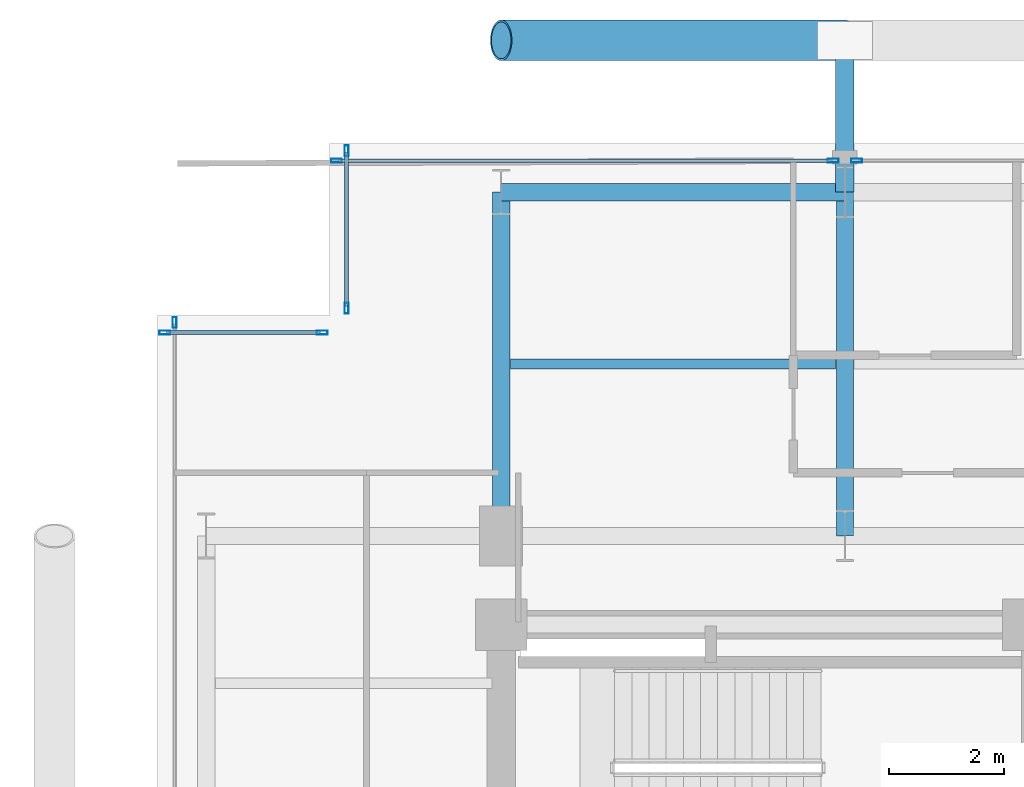
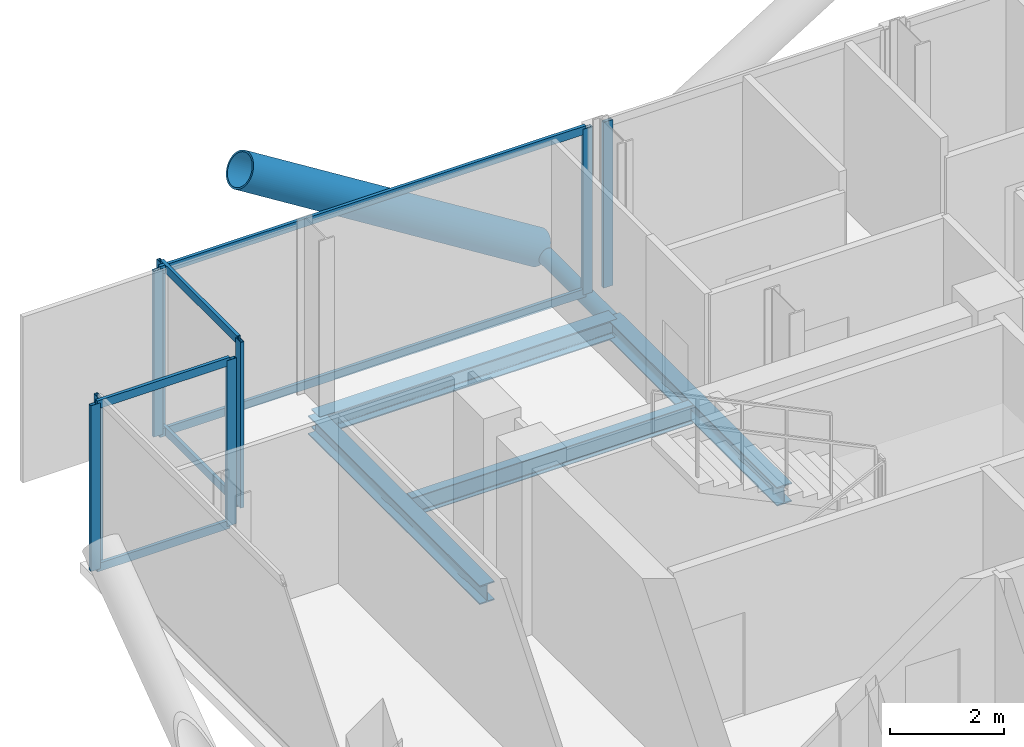
# One storey, part 13 of 22: 16 members, 4 beams, 5 elements without a shape of their own.
"""IFC4 building model written with IfcOpenShell, lengths in metres."""

import ifcopenshell
import ifcopenshell.guid

model = None  # the IFC model being written
_history = None  # IfcOwnerHistory: only IFC2X3 demands one
_inside = {}  # id of a spatial element -> (the spatial element, [elements in it])
_under = {}  # id of a project, library or spatial element -> (it, [spatial elements below it])
_declared = {}  # id of a project -> (the project, [libraries it declares])
_typed = {}  # id of a type object -> (the type object, [elements of that type])
_made_of = {}  # id of a material, layer set ... -> (it, [elements and type objects made of it])


def new_model(schema):
    """Start an empty IFC model of exactly this schema.

    Asked for "IFC4X3", IfcOpenShell would pick the latest addendum, in which some entities
    have other attributes; the version numbers below select the first issue.
    IFC2X3 requires an IfcOwnerHistory on every rooted entity: one is made here for all.
    """
    global model, _history
    if schema == "IFC4X3":
        model = ifcopenshell.file(schema_version=(4, 3, 0, 0))
    else:
        model = ifcopenshell.file(schema=schema)
    _inside.clear()
    _under.clear()
    _declared.clear()
    _typed.clear()
    _made_of.clear()
    _history = None
    if model.schema == "IFC2X3":
        org = make("IfcOrganization", Name="unknown")
        user = make(
            "IfcPersonAndOrganization",
            ThePerson=make("IfcPerson", FamilyName="unknown"),
            TheOrganization=org,
        )
        app = make(
            "IfcApplication",
            ApplicationDeveloper=org,
            Version="unknown",
            ApplicationFullName="unknown",
            ApplicationIdentifier="unknown",
        )
        _history = make(
            "IfcOwnerHistory",
            OwningUser=user,
            OwningApplication=app,
            ChangeAction="ADDED",
            CreationDate=0,
        )
    return model


def make(cls, **values):
    """One entity of the class cls with the attributes given. An attribute that is None is left unset."""
    return model.create_entity(
        cls, **{name: value for name, value in values.items() if value is not None}
    )


def rooted(cls, **values):
    """An entity with a GlobalId (a new one), such as an element, a storey or a relation."""
    return make(cls, GlobalId=ifcopenshell.guid.new(), OwnerHistory=_history, **values)


def si_unit(unit_type, name, prefix=None):
    """IfcSIUnit, for example si_unit("LENGTHUNIT", "METRE", prefix="MILLI")."""
    return make("IfcSIUnit", UnitType=unit_type, Prefix=prefix, Name=name)


def assignment(units):
    """IfcUnitAssignment: the units of a project."""
    return None if units is None else make("IfcUnitAssignment", Units=units)


def point(xyz):
    """IfcCartesianPoint."""
    return None if xyz is None else make("IfcCartesianPoint", Coordinates=xyz)


def direction(xyz):
    """IfcDirection."""
    return None if xyz is None else make("IfcDirection", DirectionRatios=xyz)


def frame(location, z_axis=None, x_axis=None):
    """IfcAxis2Placement3D, a coordinate frame: its origin and axes. An axis left out is left unset."""
    return make(
        "IfcAxis2Placement3D",
        Location=point(location),
        Axis=direction(z_axis),
        RefDirection=direction(x_axis),
    )


def frame_2d(location, x_axis=None):
    """IfcAxis2Placement2D, a coordinate frame in the plane: its origin and x axis."""
    return make(
        "IfcAxis2Placement2D", Location=point(location), RefDirection=direction(x_axis)
    )


def origin():
    """The frame at (0, 0, 0) with its axes left unset."""
    return frame((0.0, 0.0, 0.0))


def origin_2d():
    """The frame at (0, 0) in the plane with its x axis left unset."""
    return frame_2d((0.0, 0.0))


def place(relative_to, where):
    """IfcLocalPlacement: puts the frame where relative to a parent placement (None: the world)."""
    return make(
        "IfcLocalPlacement", PlacementRelTo=relative_to, RelativePlacement=where
    )


def context(
    kind, dimensions, precision=None, world=None, true_north=None, identifier=None
):
    """IfcGeometricRepresentationContext, for example the 3D "Model" context."""
    return make(
        "IfcGeometricRepresentationContext",
        ContextIdentifier=identifier,
        ContextType=kind,
        CoordinateSpaceDimension=dimensions,
        Precision=precision,
        WorldCoordinateSystem=world,
        TrueNorth=true_north,
    )


def subcontext(parent, identifier, kind, view, scale=None):
    """IfcGeometricRepresentationSubContext, for example "Body" below "Model"."""
    return make(
        "IfcGeometricRepresentationSubContext",
        ContextIdentifier=identifier,
        ContextType=kind,
        ParentContext=parent,
        TargetScale=scale,
        TargetView=view,
    )


def project(units=None, contexts=None):
    """IfcProject with its units and contexts."""
    return rooted(
        "IfcProject",
        Name="project",
        RepresentationContexts=contexts,
        UnitsInContext=assignment(units),
    )


def spatial(cls, under=None, at=None, **own):
    """A site, building, storey or space (cls), placed at a placement, below another one or the project."""
    s = rooted(cls, ObjectPlacement=at, **own)
    if under is not None:
        _under.setdefault(under.id(), (under, []))[1].append(s)
    return s


def profile(cls, at=None, kind="AREA", **sizes):
    """A parametric profile (cls). Its sizes go by their IFC names, for example OverallWidth=200.0."""
    return make(cls, ProfileType=kind, Position=at, **sizes)


def hollow_rectangle(**sizes):
    """IfcRectangleHollowProfileDef."""
    return profile("IfcRectangleHollowProfileDef", **sizes)


def hollow_circle(**sizes):
    """IfcCircleHollowProfileDef."""
    return profile("IfcCircleHollowProfileDef", **sizes)


def i_section(**sizes):
    """IfcIShapeProfileDef."""
    return profile("IfcIShapeProfileDef", **sizes)


def extrude(swept, where, along, depth):
    """IfcExtrudedAreaSolid: the profile swept, set in the frame where, extruded along a direction by depth."""
    return make(
        "IfcExtrudedAreaSolid",
        SweptArea=swept,
        Position=where,
        ExtrudedDirection=direction(along),
        Depth=depth,
    )


def shape(context_of_items, identifier, shape_type, items):
    """IfcShapeRepresentation: the items that make up one representation, for example the "Body"."""
    return make(
        "IfcShapeRepresentation",
        ContextOfItems=context_of_items,
        RepresentationIdentifier=identifier,
        RepresentationType=shape_type,
        Items=items,
    )


def material(Name=None, Category=None):
    """IfcMaterial."""
    return make("IfcMaterial", Name=Name, Category=Category)


def layer(
    of_material, thickness, ventilated=None, Name=None, Category=None, Priority=None
):
    """IfcMaterialLayer: one layer of a wall or slab, of a material (None: an air gap)."""
    return make(
        "IfcMaterialLayer",
        Material=of_material,
        LayerThickness=thickness,
        IsVentilated=ventilated,
        Name=Name,
        Category=Category,
        Priority=Priority,
    )


def layer_set(layers, Name=None):
    """IfcMaterialLayerSet."""
    return make("IfcMaterialLayerSet", MaterialLayers=layers, LayerSetName=Name)


def material_profile(
    of_material, cross_section, Name=None, Category=None, Priority=None
):
    """IfcMaterialProfile: a cross section and its material."""
    return make(
        "IfcMaterialProfile",
        Name=Name,
        Material=of_material,
        Profile=cross_section,
        Priority=Priority,
        Category=Category,
    )


def profile_set(profiles, Name=None, composite=None):
    """IfcMaterialProfileSet."""
    return make(
        "IfcMaterialProfileSet",
        Name=Name,
        MaterialProfiles=profiles,
        CompositeProfile=composite,
    )


def made_of(thing, what):
    """Note that an element or type object is made of a material, layer set ...; save() writes the relation."""
    if what is not None:
        _made_of.setdefault(what.id(), (what, []))[1].append(thing)
    return thing


def type_object(cls, material=None, **own):
    """A type object (cls), such as IfcWallType, which elements share."""
    return made_of(rooted(cls, **own), material)


def element(
    cls,
    number,
    at=None,
    inside=None,
    cuts=None,
    type_object=None,
    material=None,
    context=None,
    identifier="Body",
    shape_type=None,
    held_by="IfcProductDefinitionShape",
    body=None,
    shapes=None,
    **own,
):
    """One element of the class cls, such as IfcWall. Its Tag is "e" and its number.

    at: its placement. inside: the storey or other place that contains it. cuts: it is an
    opening in that element (IfcRelVoidsElement). A single representation is given by context,
    identifier, shape_type and body (its items); several are given by shapes. held_by: the class
    of the entity that holds the representations. save() writes the other relations.
    """
    e = rooted(cls, Tag="e%d" % number, ObjectPlacement=at, **own)
    if body is not None:
        shapes = [shape(context, identifier, shape_type, body)]
    if shapes is not None:
        e.Representation = make(held_by, Representations=shapes)
    if inside is not None:
        _inside.setdefault(inside.id(), (inside, []))[1].append(e)
    if cuts is not None:
        rooted(
            "IfcRelVoidsElement", RelatingBuildingElement=cuts, RelatedOpeningElement=e
        )
    if type_object is not None:
        _typed.setdefault(type_object.id(), (type_object, []))[1].append(e)
    return made_of(e, material)


def aggregate(whole, parts):
    """IfcRelAggregates: a whole, such as a stair, and the parts it consists of."""
    return rooted("IfcRelAggregates", RelatingObject=whole, RelatedObjects=parts)


def save(model, path):
    """Write the relations noted so far, then the file.

    IfcRelAggregates (storeys below a building ...), IfcRelContainedInSpatialStructure (elements
    in a storey), IfcRelDefinesByType, IfcRelAssociatesMaterial and IfcRelDeclares: one each for
    every whole, place, type object, material and project.
    """
    for whole, parts in _under.values():
        aggregate(whole, parts)
    for where, things in _inside.values():
        rooted(
            "IfcRelContainedInSpatialStructure",
            RelatedElements=things,
            RelatingStructure=where,
        )
    for kind, things in _typed.values():
        rooted("IfcRelDefinesByType", RelatedObjects=things, RelatingType=kind)
    for what, things in _made_of.values():
        rooted("IfcRelAssociatesMaterial", RelatedObjects=things, RelatingMaterial=what)
    for by, libraries in _declared.values():
        rooted("IfcRelDeclares", RelatingContext=by, RelatedDefinitions=libraries)
    model.write(path)


model = new_model("IFC4")

# Units and contexts
model_context = context("Model", 3, precision=1e-05, world=origin(), true_north=direction((0.0, 1.0)))
body_context = subcontext(model_context, "Body", "Model", "MODEL_VIEW")
ifc_project = project(units=[si_unit("LENGTHUNIT", "METRE"), si_unit("AREAUNIT", "SQUARE_METRE"), si_unit("VOLUMEUNIT", "CUBIC_METRE"), si_unit("PLANEANGLEUNIT", "RADIAN"), si_unit("MASSUNIT", "GRAM", prefix="KILO"), si_unit("THERMODYNAMICTEMPERATUREUNIT", "KELVIN"), si_unit("POWERUNIT", "WATT")], contexts=[model_context])

# Site, building, storey
site_placement = place(None, origin())
site = spatial("IfcSite", under=ifc_project, at=site_placement, CompositionType="ELEMENT")
building_placement = place(site_placement, origin())
building = spatial("IfcBuilding", under=site, at=building_placement, Name="Svarakhadi Broadcast Tower", CompositionType="ELEMENT")
storey_placement = place(building_placement, frame((0.0, 0.0, 191.699951171875)))
storey = spatial("IfcBuildingStorey", under=building, at=storey_placement, Name="L47", CompositionType="ELEMENT", Elevation=191.699951171875)

# Beam
ifc_material_1 = material(Name="Steel S355J2 (IS 2062 E350C)", Category="steel")
ifc_material_profile_1 = material_profile(ifc_material_1, i_section(OverallWidth=0.179931640625, OverallDepth=0.39990234375, WebThickness=0.008544921875, FlangeThickness=0.013427734375, FilletRadius=0.02099609375, at=origin_2d()), Name="NPB 400x180x66")
ifc_profile_set_1 = profile_set([ifc_material_profile_1], Name="Steel S355J2 (IS 2062 E350C)")
beam_type_1 = type_object("IfcBeamType", Name="Beam_NPB400", PredefinedType="BEAM", material=ifc_profile_set_1)
beam_placement = place(storey_placement, frame((6.159912109375, 32.14990234375, -0.409912109375), z_axis=(1.0, 0.0, 0.0), x_axis=(0.0, 1.0, 0.0)))
element("IfcBeam", 1, at=beam_placement, inside=storey, type_object=beam_type_1, Name="L47 Secondary Composite Beam SB008", PredefinedType="BEAM", context=body_context, shape_type="SweptSolid", body=[
    extrude(i_section(OverallWidth=0.179931640625, OverallDepth=0.39990234375, WebThickness=0.008544921875, FlangeThickness=0.013427734375, FilletRadius=0.02099609375, at=origin_2d()), origin(), (0.0, 0.0, 1.0), 5.68017578125),
])

# Curtain wall, member
ifc_material_2 = material(Name="Anodised Bronze Aluminium AA 6063-T6", Category="aluminium")
ifc_layer = layer(ifc_material_2, 0.18994140625)
ifc_layer_set = layer_set([ifc_layer], Name="Anodised Bronze Aluminium AA 6063-T6")
curtain_wall_type = type_object("IfcCurtainWallType", Name="CW_Sys_04", PredefinedType="NOTDEFINED", material=ifc_layer_set)
curtain_wall_1_placement = place(storey_placement, origin())
curtain_wall_1 = element("IfcCurtainWall", 2, at=curtain_wall_1_placement, inside=storey, type_object=curtain_wall_type, Name="L47 West Curtain Wall 03", PredefinedType="NOTDEFINED")
ifc_material_profile_2 = material_profile(ifc_material_2, hollow_rectangle(XDim=0.070068359375, YDim=0.18994140625, WallThickness=0.005615234375, at=origin_2d()), Name="ALU MULLION 190x70x6")
ifc_profile_set_2 = profile_set([ifc_material_profile_2], Name="Anodised Bronze Aluminium AA 6063-T6")
member_type_1 = type_object("IfcMemberType", Name="CW_Sys_04_Mul", PredefinedType="MULLION", material=ifc_profile_set_2)
member_1_placement = place(storey_placement, frame((0.300048828125, 32.875, 0.0), z_axis=(0.0, 0.0, 1.0), x_axis=(-1.0, 0.0, 0.0)))
member_1 = element("IfcMember", 3, at=member_1_placement, type_object=member_type_1, Name="CW-04 mullion 2", PredefinedType="MULLION", context=body_context, shape_type="SweptSolid", body=[
    extrude(hollow_rectangle(XDim=0.070068359375, YDim=0.18994140625, WallThickness=0.005615234375, at=origin_2d()), origin(), (0.0, 0.0, 1.0), 3.5400390625),
])
aggregate(curtain_wall_1, [member_1])

# Curtain wall, members
curtain_wall_2_placement = place(storey_placement, origin())
curtain_wall_2 = element("IfcCurtainWall", 4, at=curtain_wall_2_placement, inside=storey, type_object=curtain_wall_type, Name="L47 Unitised Facade Curtain Wall 04", PredefinedType="NOTDEFINED")
member_2_placement = place(storey_placement, frame((0.125, 32.699951171875, 0.0), z_axis=(0.0, 0.0, 1.0), x_axis=(0.0, 1.0, 0.0)))
member_2 = element("IfcMember", 5, at=member_2_placement, type_object=member_type_1, Name="CW-04 mullion 1", PredefinedType="MULLION", context=body_context, shape_type="SweptSolid", body=[
    extrude(hollow_rectangle(XDim=0.070068359375, YDim=0.18994140625, WallThickness=0.005615234375, at=origin_2d()), origin(), (0.0, 0.0, 1.0), 3.5400390625),
])
member_3_placement = place(storey_placement, frame((2.875, 32.699951171875, 0.0), z_axis=(0.0, 0.0, 1.0), x_axis=(0.0, 1.0, 0.0)))
member_3 = element("IfcMember", 6, at=member_3_placement, type_object=member_type_1, Name="CW-04 mullion 2", PredefinedType="MULLION", context=body_context, shape_type="SweptSolid", body=[
    extrude(hollow_rectangle(XDim=0.070068359375, YDim=0.18994140625, WallThickness=0.005615234375, at=origin_2d()), origin(), (0.0, 0.0, 1.0), 3.5400390625),
])

curtain_wall_3_placement = place(storey_placement, origin())
curtain_wall_3 = element("IfcCurtainWall", 7, at=curtain_wall_3_placement, inside=storey, type_object=curtain_wall_type, Name="L47 Unitised Facade Curtain Wall 05", PredefinedType="NOTDEFINED")
member_4_placement = place(storey_placement, frame((3.300048828125, 33.125, 0.0), z_axis=(0.0, 0.0, 1.0), x_axis=(-1.0, 0.0, 0.0)))
member_4 = element("IfcMember", 8, at=member_4_placement, type_object=member_type_1, Name="CW-04 mullion 1", PredefinedType="MULLION", context=body_context, shape_type="SweptSolid", body=[
    extrude(hollow_rectangle(XDim=0.070068359375, YDim=0.18994140625, WallThickness=0.005615234375, at=origin_2d()), origin(), (0.0, 0.0, 1.0), 3.5400390625),
])
member_5_placement = place(storey_placement, frame((3.300048828125, 35.875, 0.0), z_axis=(0.0, 0.0, 1.0), x_axis=(-1.0, 0.0, 0.0)))
member_5 = element("IfcMember", 9, at=member_5_placement, type_object=member_type_1, Name="CW-04 mullion 2", PredefinedType="MULLION", context=body_context, shape_type="SweptSolid", body=[
    extrude(hollow_rectangle(XDim=0.070068359375, YDim=0.18994140625, WallThickness=0.005615234375, at=origin_2d()), origin(), (0.0, 0.0, 1.0), 3.5400390625),
])

curtain_wall_4_placement = place(storey_placement, origin())
curtain_wall_4 = element("IfcCurtainWall", 10, at=curtain_wall_4_placement, inside=storey, type_object=curtain_wall_type, Name="L47 Unitised Facade Curtain Wall 06 Bay 1", PredefinedType="NOTDEFINED")
member_6_placement = place(storey_placement, frame((3.125, 35.699951171875, 0.0), z_axis=(0.0, 0.0, 1.0), x_axis=(0.0, 1.0, 0.0)))
member_6 = element("IfcMember", 11, at=member_6_placement, type_object=member_type_1, Name="CW-04 mullion 1", PredefinedType="MULLION", context=body_context, shape_type="SweptSolid", body=[
    extrude(hollow_rectangle(XDim=0.070068359375, YDim=0.18994140625, WallThickness=0.005615234375, at=origin_2d()), origin(), (0.0, 0.0, 1.0), 3.5400390625),
])
member_7_placement = place(storey_placement, frame((11.794921875, 35.699951171875, 0.0), z_axis=(0.0, 0.0, 1.0), x_axis=(0.0, 1.0, 0.0)))
member_7 = element("IfcMember", 12, at=member_7_placement, type_object=member_type_1, Name="CW-04 mullion 2", PredefinedType="MULLION", context=body_context, shape_type="SweptSolid", body=[
    extrude(hollow_rectangle(XDim=0.070068359375, YDim=0.18994140625, WallThickness=0.005615234375, at=origin_2d()), origin(), (0.0, 0.0, 1.0), 3.5400390625),
])

# Curtain wall, member
curtain_wall_5_placement = place(storey_placement, origin())
curtain_wall_5 = element("IfcCurtainWall", 13, at=curtain_wall_5_placement, inside=storey, type_object=curtain_wall_type, Name="L47 Unitised Facade Curtain Wall 06 Bay 2", PredefinedType="NOTDEFINED")
member_8_placement = place(storey_placement, frame((12.205078125, 35.699951171875, 0.0), z_axis=(0.0, 0.0, 1.0), x_axis=(0.0, 1.0, 0.0)))
member_8 = element("IfcMember", 14, at=member_8_placement, type_object=member_type_1, Name="CW-04 mullion 1", PredefinedType="MULLION", context=body_context, shape_type="SweptSolid", body=[
    extrude(hollow_rectangle(XDim=0.070068359375, YDim=0.18994140625, WallThickness=0.005615234375, at=origin_2d()), origin(), (0.0, 0.0, 1.0), 3.5400390625),
])
aggregate(curtain_wall_5, [member_8])

# Member
ifc_material_profile_3 = material_profile(ifc_material_2, hollow_rectangle(XDim=0.06494140625, YDim=0.175048828125, WallThickness=0.0048828125, at=origin_2d()), Name="ALU TRANSOM 175x65x5")
ifc_profile_set_3 = profile_set([ifc_material_profile_3], Name="Anodised Bronze Aluminium AA 6063-T6")
member_type_2 = type_object("IfcMemberType", Name="CW_Sys_04_Trn", PredefinedType="USERDEFINED", material=ifc_profile_set_3)
member_9_placement = place(storey_placement, frame((0.159912109375, 32.699951171875, 0.032470703125), z_axis=(1.0, 0.0, 0.0), x_axis=(0.0, 1.0, 0.0)))
member_9 = element("IfcMember", 15, at=member_9_placement, type_object=member_type_2, Name="CW-04 transom 1.1", ObjectType="TRANSOM", PredefinedType="USERDEFINED", context=body_context, shape_type="SweptSolid", body=[
    extrude(hollow_rectangle(XDim=0.06494140625, YDim=0.175048828125, WallThickness=0.0048828125, at=origin_2d()), origin(), (0.0, 0.0, 1.0), 2.68017578125),
])

member_10_placement = place(storey_placement, frame((0.159912109375, 32.699951171875, 3.507568359375), z_axis=(1.0, 0.0, 0.0), x_axis=(0.0, 1.0, 0.0)))
member_10 = element("IfcMember", 16, at=member_10_placement, type_object=member_type_2, Name="CW-04 transom 1.2", ObjectType="TRANSOM", PredefinedType="USERDEFINED", context=body_context, shape_type="SweptSolid", body=[
    extrude(hollow_rectangle(XDim=0.06494140625, YDim=0.175048828125, WallThickness=0.0048828125, at=origin_2d()), origin(), (0.0, 0.0, 1.0), 2.68017578125),
])

aggregate(curtain_wall_2, [member_2, member_3, member_9, member_10])

member_11_placement = place(storey_placement, frame((3.300048828125, 33.159912109375, 0.032470703125), z_axis=(0.0, 1.0, 0.0), x_axis=(-1.0, 0.0, 0.0)))
member_11 = element("IfcMember", 17, at=member_11_placement, type_object=member_type_2, Name="CW-04 transom 1.1", ObjectType="TRANSOM", PredefinedType="USERDEFINED", context=body_context, shape_type="SweptSolid", body=[
    extrude(hollow_rectangle(XDim=0.06494140625, YDim=0.175048828125, WallThickness=0.0048828125, at=origin_2d()), origin(), (0.0, 0.0, 1.0), 2.68017578125),
])

member_12_placement = place(storey_placement, frame((3.300048828125, 33.159912109375, 3.507568359375), z_axis=(0.0, 1.0, 0.0), x_axis=(-1.0, 0.0, 0.0)))
member_12 = element("IfcMember", 18, at=member_12_placement, type_object=member_type_2, Name="CW-04 transom 1.2", ObjectType="TRANSOM", PredefinedType="USERDEFINED", context=body_context, shape_type="SweptSolid", body=[
    extrude(hollow_rectangle(XDim=0.06494140625, YDim=0.175048828125, WallThickness=0.0048828125, at=origin_2d()), origin(), (0.0, 0.0, 1.0), 2.68017578125),
])

aggregate(curtain_wall_3, [member_4, member_5, member_11, member_12])

member_13_placement = place(storey_placement, frame((3.159912109375, 35.699951171875, 0.032470703125), z_axis=(1.0, 0.0, 0.0), x_axis=(0.0, 1.0, 0.0)))
member_13 = element("IfcMember", 19, at=member_13_placement, type_object=member_type_2, Name="CW-04 transom 1.1", ObjectType="TRANSOM", PredefinedType="USERDEFINED", context=body_context, shape_type="SweptSolid", body=[
    extrude(hollow_rectangle(XDim=0.06494140625, YDim=0.175048828125, WallThickness=0.0048828125, at=origin_2d()), origin(), (0.0, 0.0, 1.0), 8.60009765625),
])

member_14_placement = place(storey_placement, frame((3.159912109375, 35.699951171875, 3.507568359375), z_axis=(1.0, 0.0, 0.0), x_axis=(0.0, 1.0, 0.0)))
member_14 = element("IfcMember", 20, at=member_14_placement, type_object=member_type_2, Name="CW-04 transom 1.2", ObjectType="TRANSOM", PredefinedType="USERDEFINED", context=body_context, shape_type="SweptSolid", body=[
    extrude(hollow_rectangle(XDim=0.06494140625, YDim=0.175048828125, WallThickness=0.0048828125, at=origin_2d()), origin(), (0.0, 0.0, 1.0), 8.60009765625),
])

aggregate(curtain_wall_4, [member_6, member_7, member_13, member_14])

# Members
ifc_material_3 = material(Name="Steel S460ML (IS 2062 E450BR)", Category="steel")
ifc_material_profile_4 = material_profile(ifc_material_3, hollow_circle(Radius=0.35546875, WallThickness=0.034912109375, at=origin_2d()), Name="CHS 711x35")
ifc_profile_set_4 = profile_set([ifc_material_profile_4], Name="Steel S460ML (IS 2062 E450BR)")
member_type_3 = type_object("IfcMemberType", Name="Exo_Brace_CHS711", PredefinedType="BRACE", material=ifc_profile_set_4)
member_15_placement = place(storey_placement, frame((12.0, 37.800048828125, -0.371826171875), z_axis=(-0.847998304005, 0.0, 0.529998940003), x_axis=(0.0, -1.0, 0.0)))
element("IfcMember", 21, at=member_15_placement, inside=storey, type_object=member_type_3, Name="L47 Exposed Bronze Exoskeleton Diagonal N06", PredefinedType="BRACE", context=body_context, shape_type="SweptSolid", body=[
    extrude(hollow_circle(Radius=0.35546875, WallThickness=0.034912109375, at=origin_2d()), origin(), (0.0, 0.0, 1.0), 7.075439453125),
])
ifc_material_profile_5 = material_profile(ifc_material_3, hollow_circle(Radius=0.161865234375, WallThickness=0.01611328125, at=origin_2d()), Name="CHS 323.9x16")
ifc_profile_set_5 = profile_set([ifc_material_profile_5], Name="Steel S460ML (IS 2062 E450BR)")
member_type_4 = type_object("IfcMemberType", Name="Exo_Radial_Strut_Z2", PredefinedType="STRUT", material=ifc_profile_set_5)
member_16_placement = place(storey_placement, frame((12.0, 37.800048828125, -0.371826171875), z_axis=(0.0, -1.0, 0.0), x_axis=(1.0, 0.0, 0.0)))
element("IfcMember", 22, at=member_16_placement, inside=storey, type_object=member_type_4, Name="L47 Exoskeleton Radial Tie Strut N05", PredefinedType="STRUT", context=body_context, shape_type="SweptSolid", body=[
    extrude(hollow_circle(Radius=0.161865234375, WallThickness=0.01611328125, at=origin_2d()), origin(), (0.0, 0.0, 1.0), 2.650146484375),
])

# Beams
ifc_material_profile_6 = material_profile(ifc_material_1, i_section(OverallWidth=0.300048828125, OverallDepth=0.39990234375, WebThickness=0.013427734375, FlangeThickness=0.02392578125, FilletRadius=0.027099609375, at=origin_2d()), Name="WPB 400x300x155")
ifc_profile_set_6 = profile_set([ifc_material_profile_6], Name="Steel S355J2 (IS 2062 E350C)")
beam_type_2 = type_object("IfcBeamType", Name="Girder_WPB400", PredefinedType="USERDEFINED", material=ifc_profile_set_6)
for number, where, z_axis, x_axis, name in (
    (23, (6.0, 35.14990234375, -0.409912109375), (1.0, 0.0, 0.0), (0.0, 1.0, 0.0), "L47 Primary E-W Girder G031"),
    (24, (6.0, 29.14990234375, -0.409912109375), (0.0, 1.0, 0.0), (-1.0, 0.0, 0.0), "L47 Primary N-S Girder G041"),
    (25, (12.0, 29.14990234375, -0.409912109375), (0.0, 1.0, 0.0), (-1.0, 0.0, 0.0), "L47 Primary N-S Girder G045"),
):
    element("IfcBeam", number, at=place(storey_placement, frame(where, z_axis=z_axis, x_axis=x_axis)), inside=storey, type_object=beam_type_2, Name=name, ObjectType="GIRDER", PredefinedType="USERDEFINED", context=body_context, shape_type="SweptSolid", body=[
        extrude(i_section(OverallWidth=0.300048828125, OverallDepth=0.39990234375, WebThickness=0.013427734375, FlangeThickness=0.02392578125, FilletRadius=0.027099609375, at=origin_2d()), origin(), (0.0, 0.0, 1.0), 6.0),
    ])

save(model, "model.ifc")
